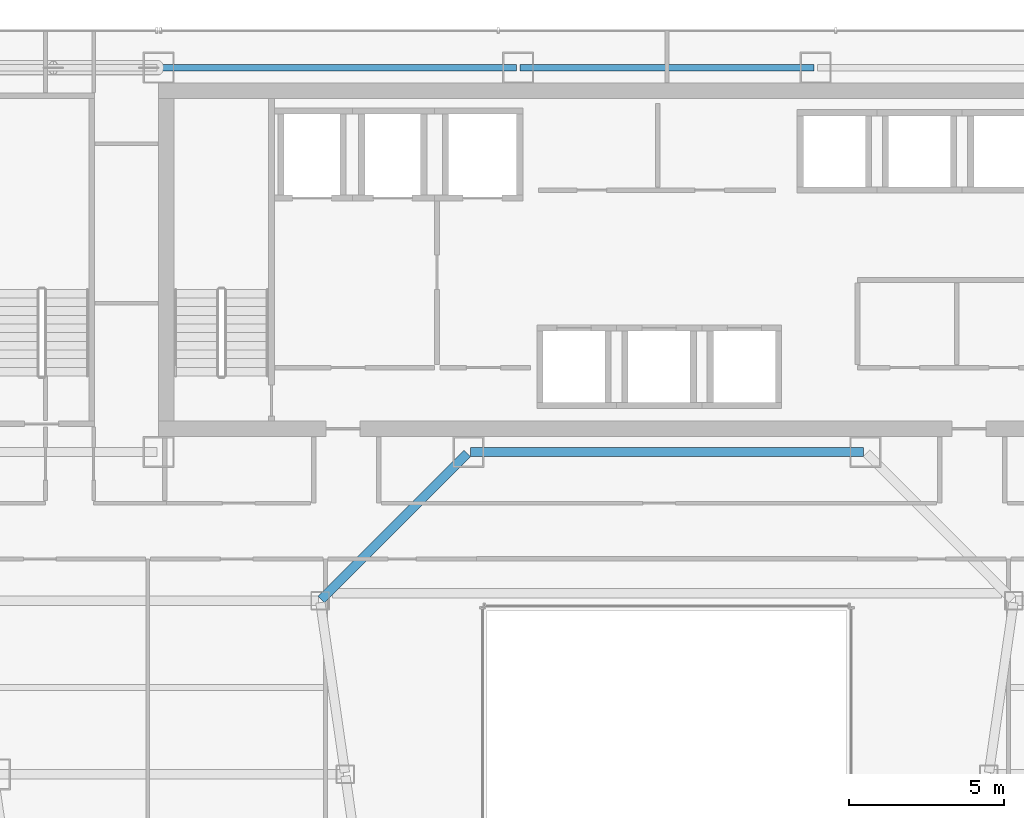
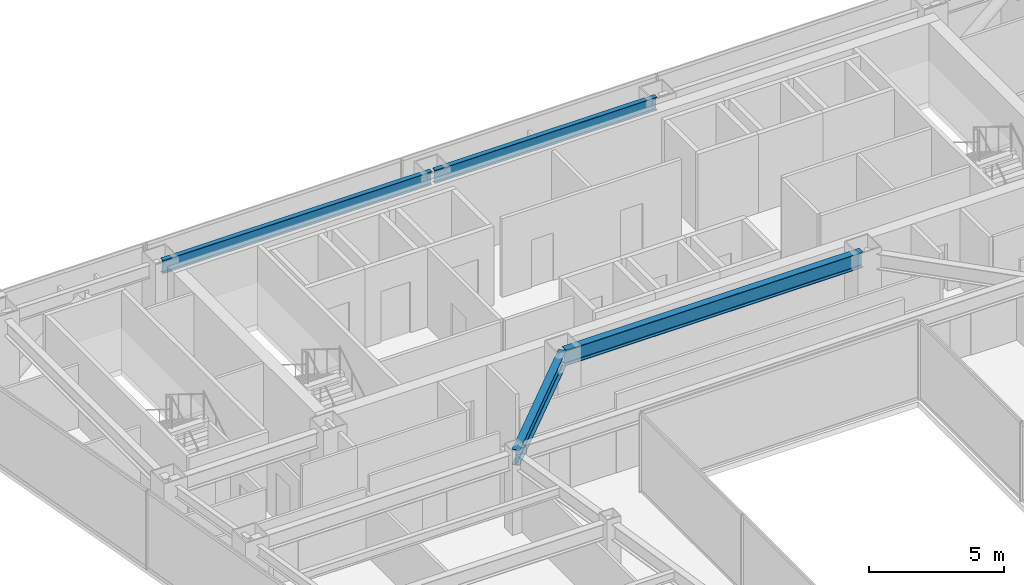
# One storey, part 22 of 38: 4 beams.
"""IFC4 building model written with IfcOpenShell, lengths in metres."""

from ifc_helpers import new_model, si_unit, direction, frame, origin, origin_2d, place, context, subcontext, project, spatial, i_section, extrude, material, material_profile, profile_set, type_object, element, save


model = new_model("IFC4")

# Units and contexts
model_context = context("Model", 3, precision=1e-05, world=origin(), true_north=direction((0.0, 1.0)))
body_context = subcontext(model_context, "Body", "Model", "MODEL_VIEW")
ifc_project = project(units=[si_unit("LENGTHUNIT", "METRE"), si_unit("AREAUNIT", "SQUARE_METRE"), si_unit("VOLUMEUNIT", "CUBIC_METRE"), si_unit("PLANEANGLEUNIT", "RADIAN"), si_unit("MASSUNIT", "GRAM", prefix="KILO")], contexts=[model_context])

# Site, building, storey
site_placement = place(None, origin())
site = spatial("IfcSite", under=ifc_project, at=site_placement, CompositionType="ELEMENT")
building_placement = place(site_placement, origin())
building = spatial("IfcBuilding", under=site, at=building_placement, Name="Saevonmaru Cultural Tower", CompositionType="ELEMENT")
storey_placement = place(building_placement, frame((0.0, 0.0, 133.39990234375)))
storey = spatial("IfcBuildingStorey", under=building, at=storey_placement, Name="L28", CompositionType="ELEMENT", Elevation=133.39990234375)

# Beams
ifc_material = material(Name="Steel SM355", Category="steel")
ifc_material_profile_1 = material_profile(ifc_material, i_section(OverallWidth=0.300048828125, OverallDepth=0.699951171875, WebThickness=0.012939453125, FlangeThickness=0.02392578125, FilletRadius=0.02587890625, at=origin_2d()), Name="H-700x300x13x24")
ifc_profile_set_1 = profile_set([ifc_material_profile_1], Name="Steel SM355")
beam_type_1 = type_object("IfcBeamType", Name="BM-G-H700", PredefinedType="BEAM", material=ifc_profile_set_1)
beam_1_placement = place(storey_placement, frame((23.659912109375, 42.39990234375, 3.2001953125), z_axis=(1.0, 0.0, 0.0), x_axis=(0.0, 1.0, 0.0)))
element("IfcBeam", 1, at=beam_1_placement, inside=storey, type_object=beam_type_1, Name="L28 Core South Girder 3", PredefinedType="BEAM", context=body_context, shape_type="SweptSolid", body=[
    extrude(i_section(OverallWidth=0.300048828125, OverallDepth=0.699951171875, WebThickness=0.012939453125, FlangeThickness=0.02392578125, FilletRadius=0.02587890625, at=origin_2d()), origin(), (0.0, 0.0, 1.0), 12.68017578125),
])
beam_2_placement = place(storey_placement, frame((18.850341796875, 37.642578125, 3.2001953125), z_axis=(0.706538566564, 0.707674539572, 0.0), x_axis=(-0.707674539572, 0.706538566564, 0.0)))
element("IfcBeam", 2, at=beam_2_placement, inside=storey, type_object=beam_type_1, Name="L28 West Atrium Girder 5", PredefinedType="BEAM", context=body_context, shape_type="SweptSolid", body=[
    extrude(i_section(OverallWidth=0.300048828125, OverallDepth=0.699951171875, WebThickness=0.012939453125, FlangeThickness=0.02392578125, FilletRadius=0.02587890625, at=origin_2d()), origin(), (0.0, 0.0, 1.0), 6.662353515625),
])
ifc_material_profile_2 = material_profile(ifc_material, i_section(OverallWidth=0.199951171875, OverallDepth=0.60009765625, WebThickness=0.010986328125, FlangeThickness=0.01708984375, FilletRadius=0.02197265625, at=origin_2d()), Name="H-600x200x11x17")
ifc_profile_set_2 = profile_set([ifc_material_profile_2], Name="Steel SM355")
beam_type_2 = type_object("IfcBeamType", Name="BM-SP-H600", PredefinedType="SPANDREL", material=ifc_profile_set_2)
beam_3_placement = place(storey_placement, frame((13.659912109375, 54.800048828125, 3.25), z_axis=(1.0, 0.0, 0.0), x_axis=(0.0, 1.0, 0.0)))
element("IfcBeam", 3, at=beam_3_placement, inside=storey, type_object=beam_type_2, Name="L28 North Spine Girder 2", PredefinedType="SPANDREL", context=body_context, shape_type="SweptSolid", body=[
    extrude(i_section(OverallWidth=0.199951171875, OverallDepth=0.60009765625, WebThickness=0.010986328125, FlangeThickness=0.01708984375, FilletRadius=0.02197265625, at=origin_2d()), origin(), (0.0, 0.0, 1.0), 11.47998046875),
])
beam_4_placement = place(storey_placement, frame((25.260009765625, 54.800048828125, 3.25), z_axis=(1.0, 0.0, 0.0), x_axis=(0.0, 1.0, 0.0)))
element("IfcBeam", 4, at=beam_4_placement, inside=storey, type_object=beam_type_2, Name="L28 North Spine Girder 3", PredefinedType="SPANDREL", context=body_context, shape_type="SweptSolid", body=[
    extrude(i_section(OverallWidth=0.199951171875, OverallDepth=0.60009765625, WebThickness=0.010986328125, FlangeThickness=0.01708984375, FilletRadius=0.02197265625, at=origin_2d()), origin(), (0.0, 0.0, 1.0), 9.47998046875),
])

save(model, "model.ifc")
